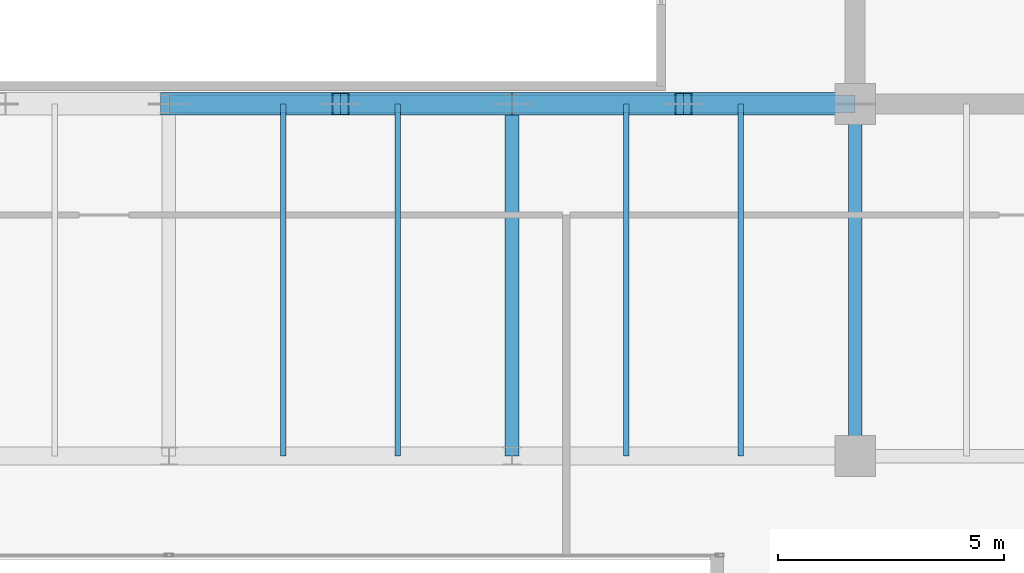
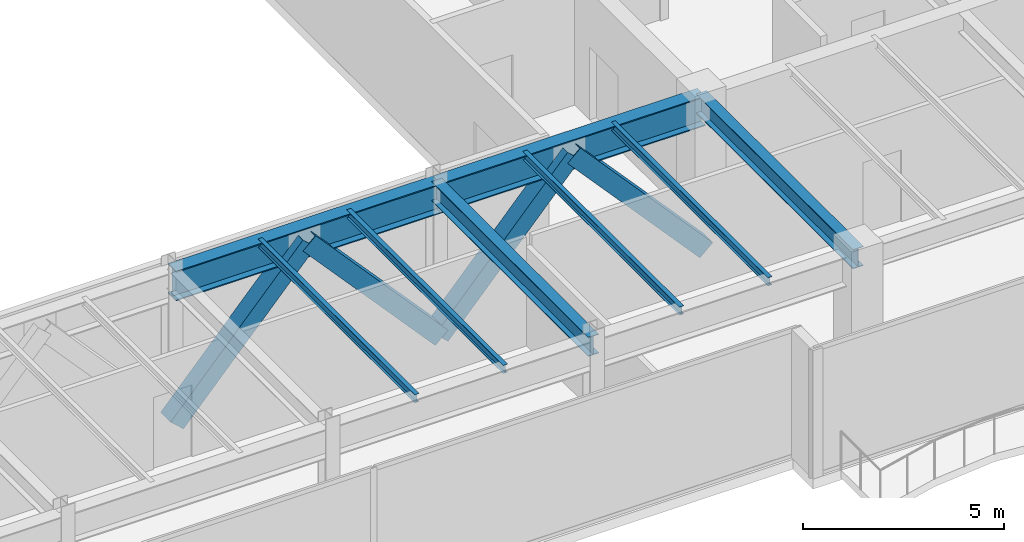
# One storey, part 11 of 31: 8 beams, 4 members.
"""IFC4 building model written with IfcOpenShell, lengths in metres."""

from ifc_helpers import new_model, si_unit, direction, frame, origin, origin_2d, place, context, subcontext, project, spatial, hollow_rectangle, i_section, extrude, source, transform, mapped, material, material_profile, profile_set, type_object, type_shapes, element, save


model = new_model("IFC4")

# Units and contexts
model_context = context("Model", 3, precision=1e-05, world=origin(), true_north=direction((0.0, 1.0)))
body_context = subcontext(model_context, "Body", "Model", "MODEL_VIEW")
ifc_project = project(units=[si_unit("LENGTHUNIT", "METRE"), si_unit("AREAUNIT", "SQUARE_METRE"), si_unit("VOLUMEUNIT", "CUBIC_METRE"), si_unit("PLANEANGLEUNIT", "RADIAN"), si_unit("MASSUNIT", "GRAM", prefix="KILO")], contexts=[model_context])

# Site, building, storey
site_placement = place(None, origin())
site = spatial("IfcSite", under=ifc_project, at=site_placement, CompositionType="ELEMENT")
building_placement = place(site_placement, origin())
building = spatial("IfcBuilding", under=site, at=building_placement, Name="Haelvirn Gate Laboratories", CompositionType="ELEMENT")
storey_placement = place(building_placement, frame((0.0, 0.0, 310.199951171875)))
storey = spatial("IfcBuildingStorey", under=building, at=storey_placement, Name="L74", CompositionType="ELEMENT", Elevation=310.199951171875)

# Beams
ifc_material_1 = material(Name="Steel SM420", Category="steel")
ifc_material_profile_1 = material_profile(ifc_material_1, i_section(OverallWidth=0.39990234375, OverallDepth=0.89990234375, WebThickness=0.01904296875, FlangeThickness=0.031982421875, at=origin_2d()), Name="H-900x400x19x32")
ifc_profile_set_1 = profile_set([ifc_material_profile_1], Name="Steel SM420")
beam_type_1 = type_object("IfcBeamType", Name="BM-TG-900", PredefinedType="BEAM", material=ifc_profile_set_1)
shared_shape_1 = source(origin(), body_context, "Body", "SweptSolid", [
    extrude(i_section(OverallWidth=0.39990234375, OverallDepth=0.89990234375, WebThickness=0.01904296875, FlangeThickness=0.031982421875, at=origin_2d()), origin(), (0.0, 0.0, 1.0), 7.60009765625),
])
type_shapes(beam_type_1, [shared_shape_1])
for number, where, z_axis, x_axis, name in (
    (1, (37.39990234375, 14.800048828125, 3.449951171875), (1.0, 0.0, 0.0), (0.0, 1.0, 0.0), "L74 Primary Girder Y14.8 (37.4-45.0)"),
    (2, (45.0, 14.800048828125, 3.449951171875), (1.0, 0.0, 0.0), (0.0, 1.0, 0.0), "L74 Primary Girder Y14.8 (45.0-52.6)"),
):
    element("IfcBeam", number, at=place(storey_placement, frame(where, z_axis=z_axis, x_axis=x_axis)), inside=storey, type_object=beam_type_1, Name=name, PredefinedType="BEAM", context=body_context, shape_type="MappedRepresentation", body=[
        mapped(shared_shape_1, transform((0.0, 0.0, 0.0), scale=1.0)),
    ])
ifc_material_2 = material(Name="Steel SM355", Category="steel")
ifc_material_profile_2 = material_profile(ifc_material_2, i_section(OverallWidth=0.300048828125, OverallDepth=0.587890625, WebThickness=0.011962890625, FlangeThickness=0.02001953125, at=origin_2d()), Name="H-588x300x12x20")
ifc_profile_set_2 = profile_set([ifc_material_profile_2], Name="Steel SM355")
beam_type_2 = type_object("IfcBeamType", Name="BM-G-588", PredefinedType="BEAM", material=ifc_profile_set_2)
shared_shape_2 = source(origin(), body_context, "Body", "SweptSolid", [
    extrude(i_section(OverallWidth=0.300048828125, OverallDepth=0.587890625, WebThickness=0.011962890625, FlangeThickness=0.02001953125, at=origin_2d()), origin(), (0.0, 0.0, 1.0), 7.800048828125),
])
type_shapes(beam_type_2, [shared_shape_2])
for number, where, z_axis, x_axis, name in (
    (3, (45.0, 7.0, 3.60595703125), (0.0, 1.0, 0.0), (-1.0, 0.0, 0.0), "L74 Frame Girder X45.0 (7.0-14.8)"),
    (4, (52.60009765625, 7.0, 3.60595703125), (0.0, 1.0, 0.0), (-1.0, 0.0, 0.0), "L74 Frame Girder X52.6 (7.0-14.8)"),
):
    element("IfcBeam", number, at=place(storey_placement, frame(where, z_axis=z_axis, x_axis=x_axis)), inside=storey, type_object=beam_type_2, Name=name, PredefinedType="BEAM", context=body_context, shape_type="MappedRepresentation", body=[
        mapped(shared_shape_2, transform((0.0, 0.0, 0.0), scale=1.0)),
    ])
ifc_material_profile_3 = material_profile(ifc_material_2, i_section(OverallWidth=0.125, OverallDepth=0.25, WebThickness=0.006103515625, FlangeThickness=0.009033203125, at=origin_2d()), Name="H-250x125x6x9")
ifc_profile_set_3 = profile_set([ifc_material_profile_3], Name="Steel SM355")
beam_type_3 = type_object("IfcBeamType", Name="BM-J-250", PredefinedType="JOIST", material=ifc_profile_set_3)
shared_shape_3 = source(origin(), body_context, "Body", "SweptSolid", [
    extrude(i_section(OverallWidth=0.125, OverallDepth=0.25, WebThickness=0.006103515625, FlangeThickness=0.009033203125, at=origin_2d()), origin(), (0.0, 0.0, 1.0), 7.800048828125),
])
type_shapes(beam_type_3, [shared_shape_3])
for number, where, z_axis, x_axis, name in (
    (5, (39.929931640625, 7.0, 3.775146484375), (0.0, 1.0, 0.0), (-1.0, 0.0, 0.0), "L74 Composite Lab Joist South X39.93"),
    (6, (42.469970703125, 7.0, 3.775146484375), (0.0, 1.0, 0.0), (-1.0, 0.0, 0.0), "L74 Composite Lab Joist South X42.47"),
    (7, (47.530029296875, 7.0, 3.775146484375), (0.0, 1.0, 0.0), (-1.0, 0.0, 0.0), "L74 Composite Lab Joist South X47.53"),
    (8, (50.070068359375, 7.0, 3.775146484375), (0.0, 1.0, 0.0), (-1.0, 0.0, 0.0), "L74 Composite Lab Joist South X50.07"),
):
    element("IfcBeam", number, at=place(storey_placement, frame(where, z_axis=z_axis, x_axis=x_axis)), inside=storey, type_object=beam_type_3, Name=name, PredefinedType="JOIST", context=body_context, shape_type="MappedRepresentation", body=[
        mapped(shared_shape_3, transform((0.0, 0.0, 0.0), scale=1.0)),
    ])

# Members
ifc_material_profile_4 = material_profile(ifc_material_1, hollow_rectangle(XDim=0.5, YDim=0.5, WallThickness=0.02197265625, at=origin_2d()), Name="BOX-500x500x22")
ifc_profile_set_4 = profile_set([ifc_material_profile_4], Name="Steel SM420")
member_type = type_object("IfcMemberType", Name="MEM-ARCH-WEB", PredefinedType="BRACE", material=ifc_profile_set_4)
shared_shape_4 = source(origin(), body_context, "Body", "SweptSolid", [
    extrude(hollow_rectangle(XDim=0.5, YDim=0.5, WallThickness=0.02197265625, at=origin_2d()), origin(), (0.0, 0.0, 1.0), 5.663818359375),
])
type_shapes(member_type, [shared_shape_4])
for number, where, z_axis, x_axis, name in (
    (9, (37.39990234375, 14.800048828125, -0.75), (0.670922353302, 0.0, 0.741527609628), (0.0, 1.0, 0.0), "L74 Arch Truss Chevron Web Y14.8-3A"),
    (10, (41.199951171875, 14.800048828125, 3.449951171875), (0.670922353302, 0.0, -0.741527609628), (0.0, 1.0, 0.0), "L74 Arch Truss Chevron Web Y14.8-3B"),
    (11, (45.0, 14.800048828125, -0.75), (0.670922353302, 0.0, 0.741527609628), (0.0, 1.0, 0.0), "L74 Arch Truss Chevron Web Y14.8-4A"),
    (12, (48.800048828125, 14.800048828125, 3.449951171875), (0.670922353302, 0.0, -0.741527609628), (0.0, 1.0, 0.0), "L74 Arch Truss Chevron Web Y14.8-4B"),
):
    element("IfcMember", number, at=place(storey_placement, frame(where, z_axis=z_axis, x_axis=x_axis)), inside=storey, type_object=member_type, Name=name, PredefinedType="BRACE", context=body_context, shape_type="MappedRepresentation", body=[
        mapped(shared_shape_4, transform((0.0, 0.0, 0.0), scale=1.0)),
    ])

save(model, "model.ifc")
